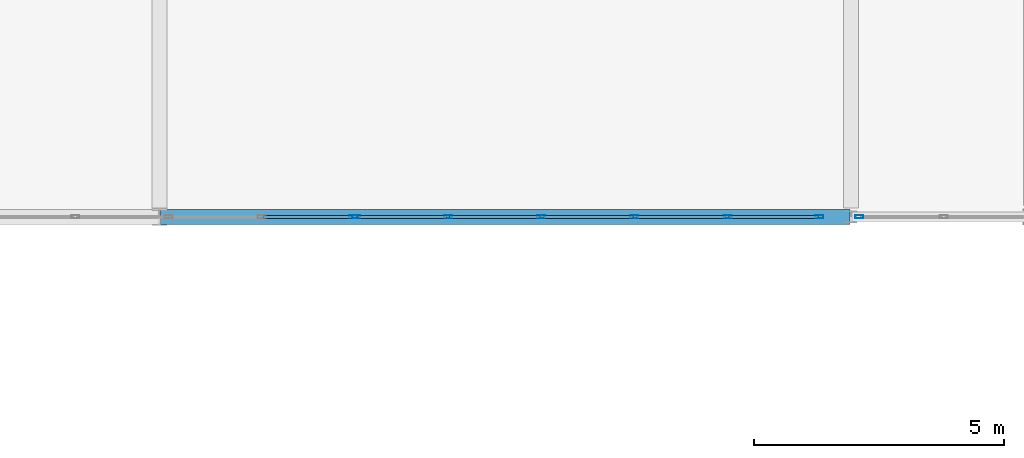
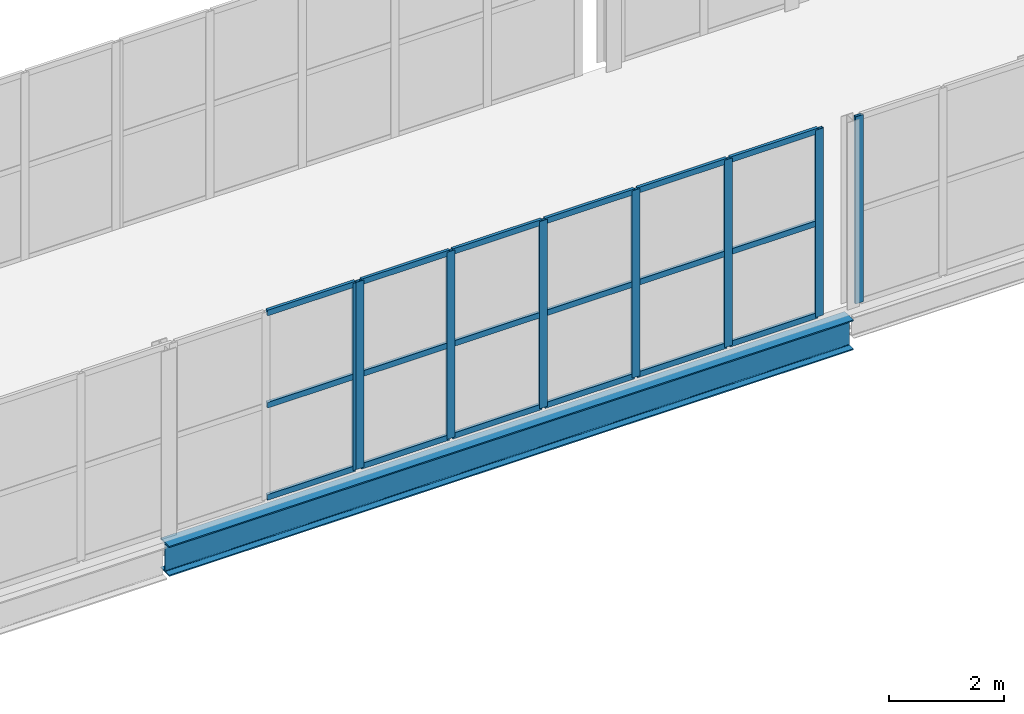
# One storey, part 52 of 138: 26 members, 1 beam, 3 elements without a shape of their own.
"""IFC4 building model written with IfcOpenShell, lengths in metres."""

from ifc_helpers import new_model, si_unit, direction, frame, origin, origin_2d, place, context, subcontext, project, spatial, hollow_rectangle, i_section, extrude, material, layer, layer_set, material_profile, profile_set, type_object, element, aggregate, save


model = new_model("IFC4")

# Units and contexts
model_context = context("Model", 3, precision=1e-05, world=origin(), true_north=direction((0.0, 1.0)))
body_context = subcontext(model_context, "Body", "Model", "MODEL_VIEW")
ifc_project = project(units=[si_unit("LENGTHUNIT", "METRE"), si_unit("AREAUNIT", "SQUARE_METRE"), si_unit("VOLUMEUNIT", "CUBIC_METRE"), si_unit("PLANEANGLEUNIT", "RADIAN"), si_unit("MASSUNIT", "GRAM", prefix="KILO")], contexts=[model_context])

# Site, building, storey
site_placement = place(None, origin())
site = spatial("IfcSite", under=ifc_project, at=site_placement, CompositionType="ELEMENT")
building_placement = place(site_placement, origin())
building = spatial("IfcBuilding", under=site, at=building_placement, Name="Vinh Khe Railworks Police Headquarters", CompositionType="ELEMENT")
storey_placement = place(building_placement, frame((0.0, 0.0, 9.0)))
storey = spatial("IfcBuildingStorey", under=building, at=storey_placement, Name="L02", CompositionType="ELEMENT", Elevation=9.0)

# Curtain wall, member
ifc_material_1 = material(Name="Anodised aluminium and solar-control glass", Category="aluminium")
ifc_layer = layer(ifc_material_1, 0.159912109375)
ifc_layer_set = layer_set([ifc_layer], Name="Anodised aluminium and solar-control glass")
curtain_wall_type = type_object("IfcCurtainWallType", Name="CW-SHOPFRONT", PredefinedType="USERDEFINED", material=ifc_layer_set)
curtain_wall_1_placement = place(storey_placement, origin())
curtain_wall_1 = element("IfcCurtainWall", 1, at=curtain_wall_1_placement, inside=storey, type_object=curtain_wall_type, Name="Link Bridge South Glazing L02 Bay 3", ObjectType="UNITISED GLAZING", PredefinedType="USERDEFINED")
ifc_material_2 = material(Name="Anodised aluminium 6063-T6", Category="aluminium")
ifc_material_profile_1 = material_profile(ifc_material_2, hollow_rectangle(XDim=0.06005859375, YDim=0.159912109375, WallThickness=0.00390625, at=origin_2d()), Name="CW-M 60x160x4")
ifc_profile_set_1 = profile_set([ifc_material_profile_1], Name="Anodised aluminium 6063-T6")
member_type_1 = type_object("IfcMemberType", Name="MULL-CWM-01", PredefinedType="MULLION", material=ifc_profile_set_1)
member_1_placement = place(storey_placement, frame((50.070068359375, 96.0, 0.0), z_axis=(0.0, 0.0, 1.0), x_axis=(0.0, 1.0, 0.0)))
member_1 = element("IfcMember", 2, at=member_1_placement, type_object=member_type_1, Name="CW-03 mullion 6", PredefinedType="MULLION", context=body_context, shape_type="SweptSolid", body=[
    extrude(hollow_rectangle(XDim=0.06005859375, YDim=0.159912109375, WallThickness=0.00390625, at=origin_2d()), origin(), (0.0, 0.0, 1.0), 3.97998046875),
])

# Curtain wall, members
curtain_wall_2_placement = place(storey_placement, origin())
curtain_wall_2 = element("IfcCurtainWall", 3, at=curtain_wall_2_placement, inside=storey, type_object=curtain_wall_type, Name="Link Bridge South Glazing L02 Bay 4", ObjectType="UNITISED GLAZING", PredefinedType="USERDEFINED")
member_2_placement = place(storey_placement, frame((50.1298828125, 96.0, 0.0), z_axis=(0.0, 0.0, 1.0), x_axis=(0.0, 1.0, 0.0)))
member_2 = element("IfcMember", 4, at=member_2_placement, type_object=member_type_1, Name="CW-03 mullion 1", PredefinedType="MULLION", context=body_context, shape_type="SweptSolid", body=[
    extrude(hollow_rectangle(XDim=0.06005859375, YDim=0.159912109375, WallThickness=0.00390625, at=origin_2d()), origin(), (0.0, 0.0, 1.0), 3.97998046875),
])
member_3_placement = place(storey_placement, frame((51.9599609375, 96.0, 0.0), z_axis=(0.0, 0.0, 1.0), x_axis=(0.0, 1.0, 0.0)))
member_3 = element("IfcMember", 5, at=member_3_placement, type_object=member_type_1, Name="CW-03 mullion 2", PredefinedType="MULLION", context=body_context, shape_type="SweptSolid", body=[
    extrude(hollow_rectangle(XDim=0.06005859375, YDim=0.159912109375, WallThickness=0.00390625, at=origin_2d()), origin(), (0.0, 0.0, 1.0), 3.97998046875),
])
member_4_placement = place(storey_placement, frame((53.820068359375, 96.0, 0.0), z_axis=(0.0, 0.0, 1.0), x_axis=(0.0, 1.0, 0.0)))
member_4 = element("IfcMember", 6, at=member_4_placement, type_object=member_type_1, Name="CW-03 mullion 3", PredefinedType="MULLION", context=body_context, shape_type="SweptSolid", body=[
    extrude(hollow_rectangle(XDim=0.06005859375, YDim=0.159912109375, WallThickness=0.00390625, at=origin_2d()), origin(), (0.0, 0.0, 1.0), 3.97998046875),
])
member_5_placement = place(storey_placement, frame((55.679931640625, 96.0, 0.0), z_axis=(0.0, 0.0, 1.0), x_axis=(0.0, 1.0, 0.0)))
member_5 = element("IfcMember", 7, at=member_5_placement, type_object=member_type_1, Name="CW-03 mullion 4", PredefinedType="MULLION", context=body_context, shape_type="SweptSolid", body=[
    extrude(hollow_rectangle(XDim=0.06005859375, YDim=0.159912109375, WallThickness=0.00390625, at=origin_2d()), origin(), (0.0, 0.0, 1.0), 3.97998046875),
])
member_6_placement = place(storey_placement, frame((57.5400390625, 96.0, 0.0), z_axis=(0.0, 0.0, 1.0), x_axis=(0.0, 1.0, 0.0)))
member_6 = element("IfcMember", 8, at=member_6_placement, type_object=member_type_1, Name="CW-03 mullion 5", PredefinedType="MULLION", context=body_context, shape_type="SweptSolid", body=[
    extrude(hollow_rectangle(XDim=0.06005859375, YDim=0.159912109375, WallThickness=0.00390625, at=origin_2d()), origin(), (0.0, 0.0, 1.0), 3.97998046875),
])
member_7_placement = place(storey_placement, frame((59.3701171875, 96.0, 0.0), z_axis=(0.0, 0.0, 1.0), x_axis=(0.0, 1.0, 0.0)))
member_7 = element("IfcMember", 9, at=member_7_placement, type_object=member_type_1, Name="CW-03 mullion 6", PredefinedType="MULLION", context=body_context, shape_type="SweptSolid", body=[
    extrude(hollow_rectangle(XDim=0.06005859375, YDim=0.159912109375, WallThickness=0.00390625, at=origin_2d()), origin(), (0.0, 0.0, 1.0), 3.97998046875),
])

# Curtain wall, member
curtain_wall_3_placement = place(storey_placement, origin())
curtain_wall_3 = element("IfcCurtainWall", 10, at=curtain_wall_3_placement, inside=storey, type_object=curtain_wall_type, Name="Link Bridge South Glazing L02 Bay 5", ObjectType="UNITISED GLAZING", PredefinedType="USERDEFINED")
member_8_placement = place(storey_placement, frame((60.169921875, 96.0, 0.0), z_axis=(0.0, 0.0, 1.0), x_axis=(0.0, 1.0, 0.0)))
member_8 = element("IfcMember", 11, at=member_8_placement, type_object=member_type_1, Name="CW-03 mullion 1", PredefinedType="MULLION", context=body_context, shape_type="SweptSolid", body=[
    extrude(hollow_rectangle(XDim=0.06005859375, YDim=0.159912109375, WallThickness=0.00390625, at=origin_2d()), origin(), (0.0, 0.0, 1.0), 3.97998046875),
])
aggregate(curtain_wall_3, [member_8])

# Beam
ifc_material_3 = material(Name="Steel S355JR", Category="steel")
ifc_material_profile_2 = material_profile(ifc_material_3, i_section(OverallWidth=0.300048828125, OverallDepth=0.639892578125, WebThickness=0.013427734375, FlangeThickness=0.02587890625, FilletRadius=0.027099609375, at=origin_2d()), Name="HEA 650")
ifc_profile_set_2 = profile_set([ifc_material_profile_2], Name="Steel S355JR")
beam_type = type_object("IfcBeamType", Name="Steel Girder HEA 650", PredefinedType="BEAM", material=ifc_profile_set_2)
beam_placement = place(storey_placement, frame((46.219970703125, 96.0, -0.5400390625), z_axis=(1.0, 0.0, 0.0), x_axis=(0.0, 1.0, 0.0)))
element("IfcBeam", 12, at=beam_placement, inside=storey, type_object=beam_type, Name="Girder BM-L02-EW-SB-09-0809", PredefinedType="BEAM", context=body_context, shape_type="SweptSolid", body=[
    extrude(i_section(OverallWidth=0.300048828125, OverallDepth=0.639892578125, WebThickness=0.013427734375, FlangeThickness=0.02587890625, FilletRadius=0.027099609375, at=origin_2d()), origin(), (0.0, 0.0, 1.0), 13.760009765625),
])

# Member
ifc_material_profile_3 = material_profile(ifc_material_2, hollow_rectangle(XDim=0.06005859375, YDim=0.1201171875, WallThickness=0.00390625, at=origin_2d()), Name="CW-T 60x120x4")
ifc_profile_set_3 = profile_set([ifc_material_profile_3], Name="Anodised aluminium 6063-T6")
member_type_2 = type_object("IfcMemberType", Name="TRAN-CWT-01", PredefinedType="USERDEFINED", material=ifc_profile_set_3)
member_9_placement = place(storey_placement, frame((48.27001953125, 96.0, 0.030029296875), z_axis=(1.0, 0.0, 0.0), x_axis=(0.0, 1.0, 0.0)))
member_9 = element("IfcMember", 13, at=member_9_placement, type_object=member_type_2, Name="CW-03 transom 5.1", ObjectType="TRANSOM", PredefinedType="USERDEFINED", context=body_context, shape_type="SweptSolid", body=[
    extrude(hollow_rectangle(XDim=0.06005859375, YDim=0.1201171875, WallThickness=0.00390625, at=origin_2d()), origin(), (0.0, 0.0, 1.0), 1.77001953125),
])

member_10_placement = place(storey_placement, frame((48.27001953125, 96.0, 1.989990234375), z_axis=(1.0, 0.0, 0.0), x_axis=(0.0, 1.0, 0.0)))
member_10 = element("IfcMember", 14, at=member_10_placement, type_object=member_type_2, Name="CW-03 transom 5.2", ObjectType="TRANSOM", PredefinedType="USERDEFINED", context=body_context, shape_type="SweptSolid", body=[
    extrude(hollow_rectangle(XDim=0.06005859375, YDim=0.1201171875, WallThickness=0.00390625, at=origin_2d()), origin(), (0.0, 0.0, 1.0), 1.77001953125),
])

member_11_placement = place(storey_placement, frame((48.27001953125, 96.0, 3.949951171875), z_axis=(1.0, 0.0, 0.0), x_axis=(0.0, 1.0, 0.0)))
member_11 = element("IfcMember", 15, at=member_11_placement, type_object=member_type_2, Name="CW-03 transom 5.3", ObjectType="TRANSOM", PredefinedType="USERDEFINED", context=body_context, shape_type="SweptSolid", body=[
    extrude(hollow_rectangle(XDim=0.06005859375, YDim=0.1201171875, WallThickness=0.00390625, at=origin_2d()), origin(), (0.0, 0.0, 1.0), 1.77001953125),
])

aggregate(curtain_wall_1, [member_1, member_9, member_10, member_11])

member_12_placement = place(storey_placement, frame((50.159912109375, 96.0, 0.030029296875), z_axis=(1.0, 0.0, 0.0), x_axis=(0.0, 1.0, 0.0)))
member_12 = element("IfcMember", 16, at=member_12_placement, type_object=member_type_2, Name="CW-03 transom 1.1", ObjectType="TRANSOM", PredefinedType="USERDEFINED", context=body_context, shape_type="SweptSolid", body=[
    extrude(hollow_rectangle(XDim=0.06005859375, YDim=0.1201171875, WallThickness=0.00390625, at=origin_2d()), origin(), (0.0, 0.0, 1.0), 1.77001953125),
])

member_13_placement = place(storey_placement, frame((50.159912109375, 96.0, 1.989990234375), z_axis=(1.0, 0.0, 0.0), x_axis=(0.0, 1.0, 0.0)))
member_13 = element("IfcMember", 17, at=member_13_placement, type_object=member_type_2, Name="CW-03 transom 1.2", ObjectType="TRANSOM", PredefinedType="USERDEFINED", context=body_context, shape_type="SweptSolid", body=[
    extrude(hollow_rectangle(XDim=0.06005859375, YDim=0.1201171875, WallThickness=0.00390625, at=origin_2d()), origin(), (0.0, 0.0, 1.0), 1.77001953125),
])

member_14_placement = place(storey_placement, frame((50.159912109375, 96.0, 3.949951171875), z_axis=(1.0, 0.0, 0.0), x_axis=(0.0, 1.0, 0.0)))
member_14 = element("IfcMember", 18, at=member_14_placement, type_object=member_type_2, Name="CW-03 transom 1.3", ObjectType="TRANSOM", PredefinedType="USERDEFINED", context=body_context, shape_type="SweptSolid", body=[
    extrude(hollow_rectangle(XDim=0.06005859375, YDim=0.1201171875, WallThickness=0.00390625, at=origin_2d()), origin(), (0.0, 0.0, 1.0), 1.77001953125),
])

member_15_placement = place(storey_placement, frame((51.989990234375, 96.0, 0.030029296875), z_axis=(1.0, 0.0, 0.0), x_axis=(0.0, 1.0, 0.0)))
member_15 = element("IfcMember", 19, at=member_15_placement, type_object=member_type_2, Name="CW-03 transom 2.1", ObjectType="TRANSOM", PredefinedType="USERDEFINED", context=body_context, shape_type="SweptSolid", body=[
    extrude(hollow_rectangle(XDim=0.06005859375, YDim=0.1201171875, WallThickness=0.00390625, at=origin_2d()), origin(), (0.0, 0.0, 1.0), 1.800048828125),
])

member_16_placement = place(storey_placement, frame((51.989990234375, 96.0, 1.989990234375), z_axis=(1.0, 0.0, 0.0), x_axis=(0.0, 1.0, 0.0)))
member_16 = element("IfcMember", 20, at=member_16_placement, type_object=member_type_2, Name="CW-03 transom 2.2", ObjectType="TRANSOM", PredefinedType="USERDEFINED", context=body_context, shape_type="SweptSolid", body=[
    extrude(hollow_rectangle(XDim=0.06005859375, YDim=0.1201171875, WallThickness=0.00390625, at=origin_2d()), origin(), (0.0, 0.0, 1.0), 1.800048828125),
])

member_17_placement = place(storey_placement, frame((51.989990234375, 96.0, 3.949951171875), z_axis=(1.0, 0.0, 0.0), x_axis=(0.0, 1.0, 0.0)))
member_17 = element("IfcMember", 21, at=member_17_placement, type_object=member_type_2, Name="CW-03 transom 2.3", ObjectType="TRANSOM", PredefinedType="USERDEFINED", context=body_context, shape_type="SweptSolid", body=[
    extrude(hollow_rectangle(XDim=0.06005859375, YDim=0.1201171875, WallThickness=0.00390625, at=origin_2d()), origin(), (0.0, 0.0, 1.0), 1.800048828125),
])

member_18_placement = place(storey_placement, frame((53.85009765625, 96.0, 0.030029296875), z_axis=(1.0, 0.0, 0.0), x_axis=(0.0, 1.0, 0.0)))
member_18 = element("IfcMember", 22, at=member_18_placement, type_object=member_type_2, Name="CW-03 transom 3.1", ObjectType="TRANSOM", PredefinedType="USERDEFINED", context=body_context, shape_type="SweptSolid", body=[
    extrude(hollow_rectangle(XDim=0.06005859375, YDim=0.1201171875, WallThickness=0.00390625, at=origin_2d()), origin(), (0.0, 0.0, 1.0), 1.7998046875),
])

member_19_placement = place(storey_placement, frame((53.85009765625, 96.0, 1.989990234375), z_axis=(1.0, 0.0, 0.0), x_axis=(0.0, 1.0, 0.0)))
member_19 = element("IfcMember", 23, at=member_19_placement, type_object=member_type_2, Name="CW-03 transom 3.2", ObjectType="TRANSOM", PredefinedType="USERDEFINED", context=body_context, shape_type="SweptSolid", body=[
    extrude(hollow_rectangle(XDim=0.06005859375, YDim=0.1201171875, WallThickness=0.00390625, at=origin_2d()), origin(), (0.0, 0.0, 1.0), 1.7998046875),
])

member_20_placement = place(storey_placement, frame((53.85009765625, 96.0, 3.949951171875), z_axis=(1.0, 0.0, 0.0), x_axis=(0.0, 1.0, 0.0)))
member_20 = element("IfcMember", 24, at=member_20_placement, type_object=member_type_2, Name="CW-03 transom 3.3", ObjectType="TRANSOM", PredefinedType="USERDEFINED", context=body_context, shape_type="SweptSolid", body=[
    extrude(hollow_rectangle(XDim=0.06005859375, YDim=0.1201171875, WallThickness=0.00390625, at=origin_2d()), origin(), (0.0, 0.0, 1.0), 1.7998046875),
])

member_21_placement = place(storey_placement, frame((55.7099609375, 96.0, 0.030029296875), z_axis=(1.0, 0.0, 0.0), x_axis=(0.0, 1.0, 0.0)))
member_21 = element("IfcMember", 25, at=member_21_placement, type_object=member_type_2, Name="CW-03 transom 4.1", ObjectType="TRANSOM", PredefinedType="USERDEFINED", context=body_context, shape_type="SweptSolid", body=[
    extrude(hollow_rectangle(XDim=0.06005859375, YDim=0.1201171875, WallThickness=0.00390625, at=origin_2d()), origin(), (0.0, 0.0, 1.0), 1.800048828125),
])

member_22_placement = place(storey_placement, frame((55.7099609375, 96.0, 1.989990234375), z_axis=(1.0, 0.0, 0.0), x_axis=(0.0, 1.0, 0.0)))
member_22 = element("IfcMember", 26, at=member_22_placement, type_object=member_type_2, Name="CW-03 transom 4.2", ObjectType="TRANSOM", PredefinedType="USERDEFINED", context=body_context, shape_type="SweptSolid", body=[
    extrude(hollow_rectangle(XDim=0.06005859375, YDim=0.1201171875, WallThickness=0.00390625, at=origin_2d()), origin(), (0.0, 0.0, 1.0), 1.800048828125),
])

member_23_placement = place(storey_placement, frame((55.7099609375, 96.0, 3.949951171875), z_axis=(1.0, 0.0, 0.0), x_axis=(0.0, 1.0, 0.0)))
member_23 = element("IfcMember", 27, at=member_23_placement, type_object=member_type_2, Name="CW-03 transom 4.3", ObjectType="TRANSOM", PredefinedType="USERDEFINED", context=body_context, shape_type="SweptSolid", body=[
    extrude(hollow_rectangle(XDim=0.06005859375, YDim=0.1201171875, WallThickness=0.00390625, at=origin_2d()), origin(), (0.0, 0.0, 1.0), 1.800048828125),
])

member_24_placement = place(storey_placement, frame((57.570068359375, 96.0, 0.030029296875), z_axis=(1.0, 0.0, 0.0), x_axis=(0.0, 1.0, 0.0)))
member_24 = element("IfcMember", 28, at=member_24_placement, type_object=member_type_2, Name="CW-03 transom 5.1", ObjectType="TRANSOM", PredefinedType="USERDEFINED", context=body_context, shape_type="SweptSolid", body=[
    extrude(hollow_rectangle(XDim=0.06005859375, YDim=0.1201171875, WallThickness=0.00390625, at=origin_2d()), origin(), (0.0, 0.0, 1.0), 1.77001953125),
])

member_25_placement = place(storey_placement, frame((57.570068359375, 96.0, 1.989990234375), z_axis=(1.0, 0.0, 0.0), x_axis=(0.0, 1.0, 0.0)))
member_25 = element("IfcMember", 29, at=member_25_placement, type_object=member_type_2, Name="CW-03 transom 5.2", ObjectType="TRANSOM", PredefinedType="USERDEFINED", context=body_context, shape_type="SweptSolid", body=[
    extrude(hollow_rectangle(XDim=0.06005859375, YDim=0.1201171875, WallThickness=0.00390625, at=origin_2d()), origin(), (0.0, 0.0, 1.0), 1.77001953125),
])

member_26_placement = place(storey_placement, frame((57.570068359375, 96.0, 3.949951171875), z_axis=(1.0, 0.0, 0.0), x_axis=(0.0, 1.0, 0.0)))
member_26 = element("IfcMember", 30, at=member_26_placement, type_object=member_type_2, Name="CW-03 transom 5.3", ObjectType="TRANSOM", PredefinedType="USERDEFINED", context=body_context, shape_type="SweptSolid", body=[
    extrude(hollow_rectangle(XDim=0.06005859375, YDim=0.1201171875, WallThickness=0.00390625, at=origin_2d()), origin(), (0.0, 0.0, 1.0), 1.77001953125),
])

aggregate(curtain_wall_2, [member_2, member_3, member_4, member_5, member_6, member_7, member_12, member_13, member_14, member_15, member_16, member_17, member_18, member_19, member_20, member_21, member_22, member_23, member_24, member_25, member_26])

save(model, "model.ifc")
